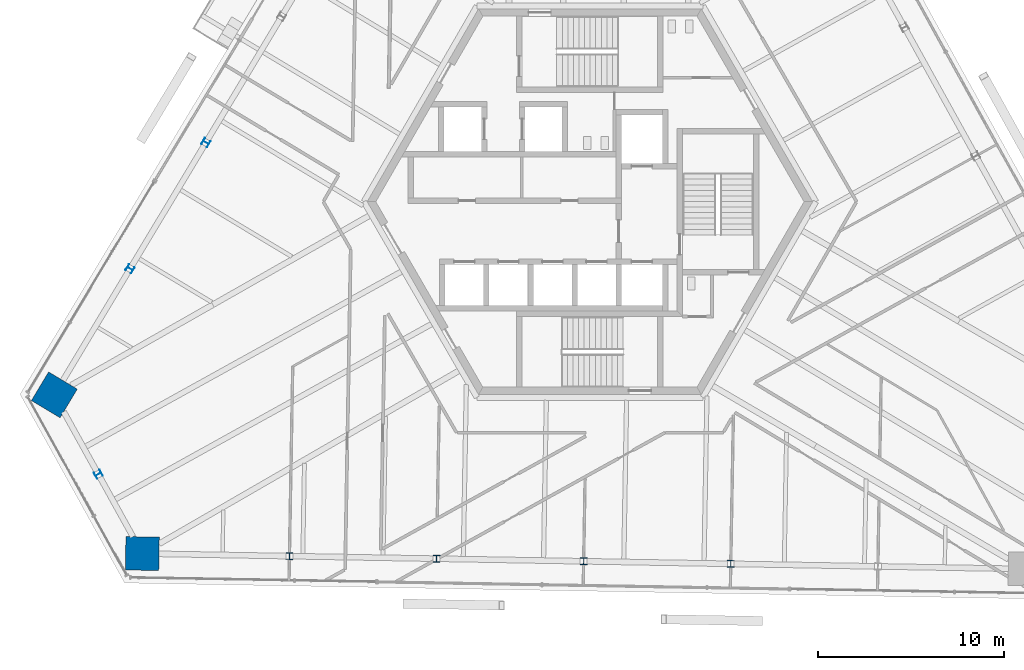
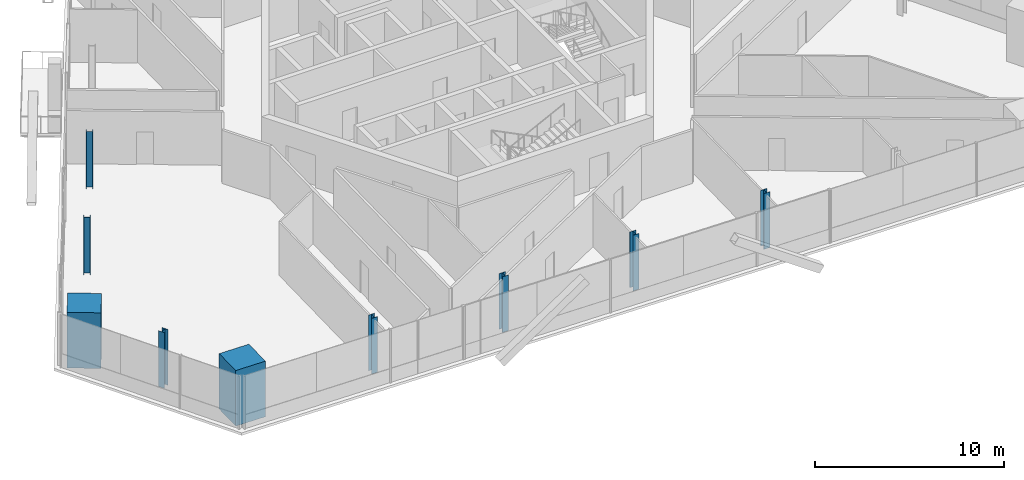
# One storey, part 1 of 18: 9 columns.
"""IFC4 building model written with IfcOpenShell, lengths in metres."""

from ifc_helpers import new_model, si_unit, direction, frame, origin, origin_2d, place, context, subcontext, project, spatial, rectangle, i_section, extrude, source, transform, mapped, material, material_profile, profile_set, type_object, element, save


model = new_model("IFC4")

# Units and contexts
model_context = context("Model", 3, precision=1e-05, world=origin(), true_north=direction((0.0, 1.0)))
body_context = subcontext(model_context, "Body", "Model", "MODEL_VIEW")
ifc_project = project(units=[si_unit("LENGTHUNIT", "METRE"), si_unit("AREAUNIT", "SQUARE_METRE"), si_unit("VOLUMEUNIT", "CUBIC_METRE"), si_unit("PLANEANGLEUNIT", "RADIAN"), si_unit("MASSUNIT", "GRAM", prefix="KILO")], contexts=[model_context])

# Site, building, storey
site_placement = place(None, origin())
site = spatial("IfcSite", under=ifc_project, at=site_placement, CompositionType="ELEMENT")
building_placement = place(site_placement, origin())
building = spatial("IfcBuilding", under=site, at=building_placement, Name="Triune Harvest Tower", CompositionType="ELEMENT")
storey_placement = place(building_placement, frame((0.0, 0.0, 190.699951171875)))
storey = spatial("IfcBuildingStorey", under=building, at=storey_placement, Name="L49", CompositionType="ELEMENT", Elevation=190.699951171875)

# Columns
ifc_material_1 = material(Name="Concrete 70 MPa", Category="concrete")
ifc_material_profile_1 = material_profile(ifc_material_1, rectangle(XDim=1.800048828125, YDim=1.800048828125, at=origin_2d()), Name="Composite 1800x1800")
ifc_profile_set_1 = profile_set([ifc_material_profile_1], Name="Concrete 70 MPa")
column_type_1 = type_object("IfcColumnType", Name="MC-5 Mega column Composite 1800x1800", PredefinedType="COLUMN", material=ifc_profile_set_1)
shared_shape_1 = source(origin(), body_context, "Body", "SweptSolid", [
    extrude(rectangle(XDim=1.800048828125, YDim=1.800048828125, at=origin_2d()), origin(), (0.0, 0.0, 1.0), 3.60009765625),
])
for number, where, z_axis, x_axis, name in (
    (1, (-28.85595703125, -10.406005859375, 0.0), (0.0, 0.0, 1.0), (-0.51503657887, -0.857168199612, 0.0), "col/L49/M14"),
    (2, (-24.1162109375, -18.956787109375, 0.0), (0.0, 0.0, 1.0), (0.999847695156, -0.017452406437, 0.0), "col/L49/M16"),
):
    element("IfcColumn", number, at=place(storey_placement, frame(where, z_axis=z_axis, x_axis=x_axis)), inside=storey, type_object=column_type_1, Name=name, PredefinedType="COLUMN", context=body_context, shape_type="MappedRepresentation", body=[
        mapped(shared_shape_1, transform((0.0, 0.0, 0.0), scale=1.0)),
    ])
ifc_material_2 = material(Name="Steel ASTM A992 Gr 50", Category="steel")
ifc_material_profile_2 = material_profile(ifc_material_2, i_section(OverallWidth=0.370849609375, OverallDepth=0.36328125, WebThickness=0.013427734375, FlangeThickness=0.021728515625, at=origin_2d()), Name="W14x109")
ifc_profile_set_2 = profile_set([ifc_material_profile_2], Name="Steel ASTM A992 Gr 50")
column_type_2 = type_object("IfcColumnType", Name="PC-5 Perimeter column W14x109", PredefinedType="COLUMN", material=ifc_profile_set_2)
shared_shape_2 = source(origin(), body_context, "Body", "SweptSolid", [
    extrude(i_section(OverallWidth=0.370849609375, OverallDepth=0.36328125, WebThickness=0.013427734375, FlangeThickness=0.021728515625, at=origin_2d()), origin(), (0.0, 0.0, 1.0), 3.60009765625),
])
for number, where, z_axis, x_axis, name in (
    (3, (-20.6904296875, 3.183837890625, 0.0), (0.0, 0.0, 1.0), (-0.51503657887, -0.857168199612, 0.0), "col/L49/P12"),
    (4, (-24.773193359375, -3.611083984375, 0.0), (0.0, 0.0, 1.0), (-0.51503657887, -0.857168199612, 0.0), "col/L49/P13"),
    (5, (-26.486083984375, -14.681396484375, 0.0), (0.0, 0.0, 1.0), (0.484808093746, -0.87462055329, 0.0), "col/L49/P15"),
    (6, (-16.190185546875, -19.09521484375, 0.0), (0.0, 0.0, 1.0), (0.999847695156, -0.017452406437, 0.0), "col/L49/P17"),
    (7, (-8.26416015625, -19.233642578125, 0.0), (0.0, 0.0, 1.0), (0.999847695156, -0.017452406437, 0.0), "col/L49/P18"),
    (8, (-0.338134765625, -19.3720703125, 0.0), (0.0, 0.0, 1.0), (0.999847695156, -0.017452406437, 0.0), "col/L49/P19"),
    (9, (7.587890625, -19.510498046875, 0.0), (0.0, 0.0, 1.0), (0.999847695156, -0.017452406437, 0.0), "col/L49/P20"),
):
    element("IfcColumn", number, at=place(storey_placement, frame(where, z_axis=z_axis, x_axis=x_axis)), inside=storey, type_object=column_type_2, Name=name, PredefinedType="COLUMN", context=body_context, shape_type="MappedRepresentation", body=[
        mapped(shared_shape_2, transform((0.0, 0.0, 0.0), scale=1.0)),
    ])

save(model, "model.ifc")
